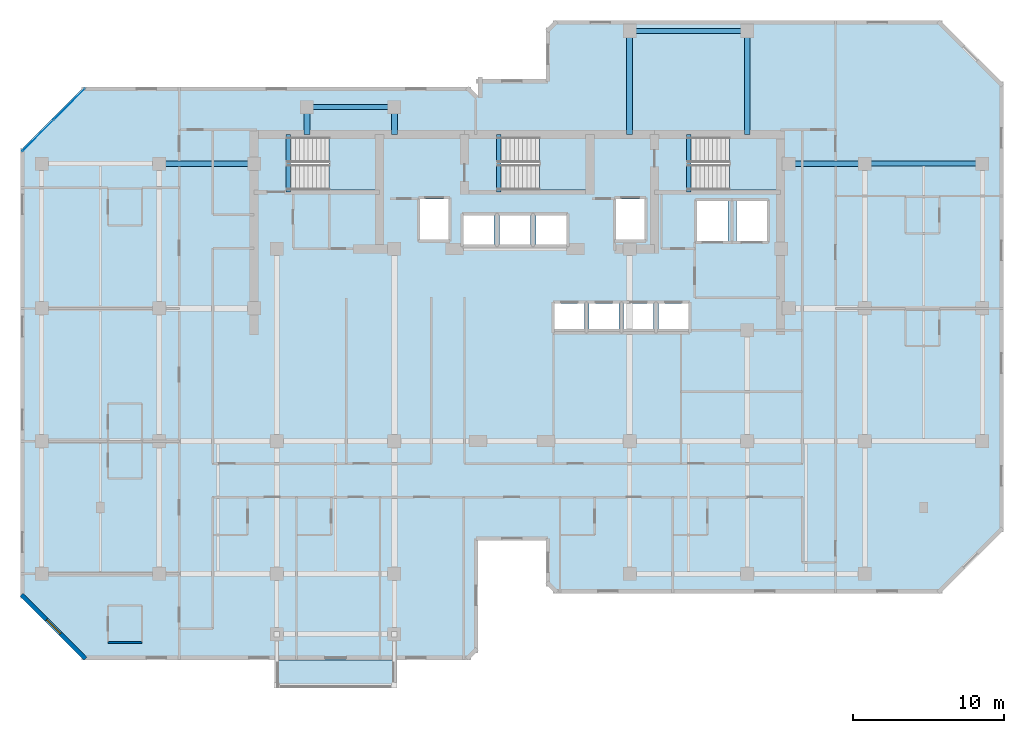
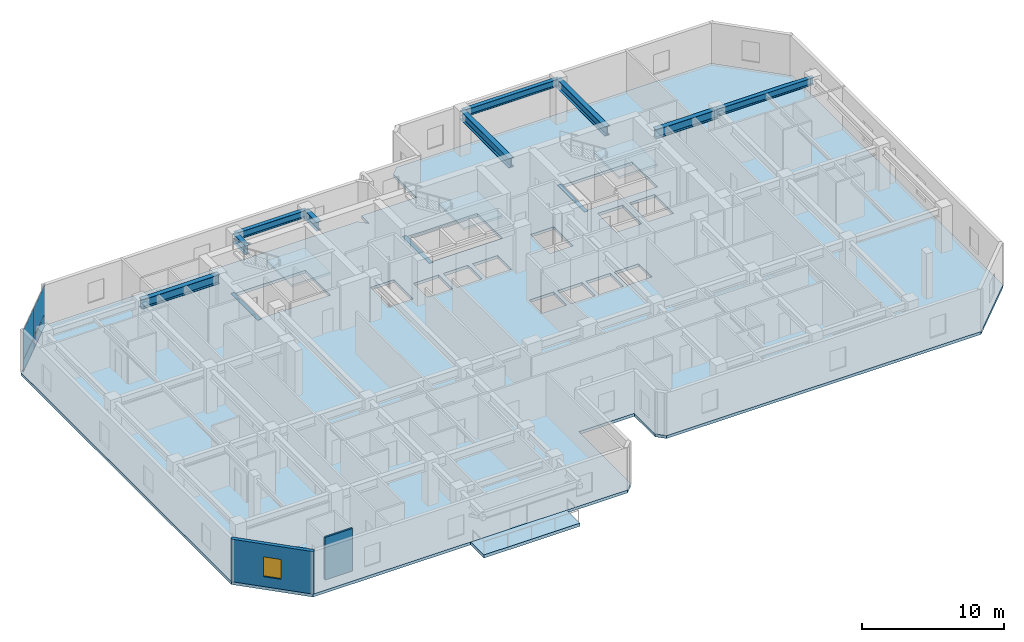
# One storey, part 3 of 11: 12 beams, 5 slabs, 4 plates, 2 walls, 1 window, 1 opening, 4 elements without a shape of their own.
"""IFC4 building model written with IfcOpenShell, lengths in metres."""

from ifc_helpers import new_model, si_unit, direction, frame, frame_2d, origin, origin_2d, place, context, subcontext, project, spatial, polyline, rectangle, i_section, outline, extrude, material, layer, layer_set, material_profile, profile_set, type_object, element, fill, aggregate, save


model = new_model("IFC4")

# Units and contexts
model_context = context("Model", 3, precision=1e-05, world=origin(), true_north=direction((0.0, 1.0)))
body_context = subcontext(model_context, "Body", "Model", "MODEL_VIEW")
ifc_project = project(units=[si_unit("LENGTHUNIT", "METRE"), si_unit("AREAUNIT", "SQUARE_METRE"), si_unit("VOLUMEUNIT", "CUBIC_METRE"), si_unit("PLANEANGLEUNIT", "RADIAN"), si_unit("MASSUNIT", "GRAM", prefix="KILO")], contexts=[model_context])

# Site, building, storey
site_placement = place(None, origin())
site = spatial("IfcSite", under=ifc_project, at=site_placement, CompositionType="ELEMENT")
building_placement = place(site_placement, origin())
building = spatial("IfcBuilding", under=site, at=building_placement, Name="Kestravale Grand Hotel", CompositionType="ELEMENT")
storey_placement = place(building_placement, frame((0.0, 0.0, 200.699951171875)))
storey = spatial("IfcBuildingStorey", under=building, at=storey_placement, Name="L50", CompositionType="ELEMENT", Elevation=200.699951171875)

# Beams
ifc_material_1 = material(Name="Concrete f'c 45 MPa", Category="concrete")
ifc_material_profile_1 = material_profile(ifc_material_1, rectangle(XDim=0.300048828125, YDim=0.39990234375, at=origin_2d()))
ifc_profile_set_1 = profile_set([ifc_material_profile_1], Name="Concrete f'c 45 MPa")
beam_type_1 = type_object("IfcBeamType", Name="B-FLR-LNT400", PredefinedType="LINTEL", material=ifc_profile_set_1)
for number, where, z_axis, x_axis, name in (
    (1, (24.159912109375, 36.52001953125, -0.199951171875), (0.0, 1.0, 0.0), (-1.0, 0.0, 0.0), "L50 ST1 flight bottom header beam"),
    (2, (38.110107421875, 36.52001953125, -0.199951171875), (0.0, 1.0, 0.0), (-1.0, 0.0, 0.0), "L50 ST2 flight bottom header beam"),
    (3, (50.7099609375, 36.52001953125, -0.199951171875), (0.0, 1.0, 0.0), (-1.0, 0.0, 0.0), "L50 ST3 flight bottom header beam"),
):
    element("IfcBeam", number, at=place(storey_placement, frame(where, z_axis=z_axis, x_axis=x_axis)), inside=storey, type_object=beam_type_1, Name=name, PredefinedType="LINTEL", context=body_context, shape_type="SweptSolid", body=[
        extrude(rectangle(XDim=0.300048828125, YDim=0.39990234375, at=origin_2d()), origin(), (0.0, 0.0, 1.0), 3.800048828125),
    ])
ifc_material_2 = material(Name="Steel ASTM A992 Grade 50", Category="steel")
ifc_material_profile_2 = material_profile(ifc_material_2, i_section(OverallWidth=0.324951171875, OverallDepth=0.612060546875, WebThickness=0.0126953125, FlangeThickness=0.01904296875, FilletRadius=0.018798828125, at=origin_2d()))
ifc_profile_set_2 = profile_set([ifc_material_profile_2], Name="Steel ASTM A992 Grade 50")
beam_type_2 = type_object("IfcBeamType", Name="B-FLR-W24A", PredefinedType="SPANDREL", material=ifc_profile_set_2)
for number, where, z_axis, x_axis, name in (
    (4, (62.39990234375, 38.39990234375, 3.343994140625), (1.0, 0.0, 0.0), (0.0, 1.0, 0.0), "L50 spandrel F:10-11"),
    (5, (46.800048828125, 47.199951171875, 3.343994140625), (1.0, 0.0, 0.0), (0.0, 1.0, 0.0), "L50 spandrel G:8-9"),
):
    element("IfcBeam", number, at=place(storey_placement, frame(where, z_axis=z_axis, x_axis=x_axis)), inside=storey, type_object=beam_type_2, Name=name, PredefinedType="SPANDREL", context=body_context, shape_type="SweptSolid", body=[
        extrude(i_section(OverallWidth=0.324951171875, OverallDepth=0.612060546875, WebThickness=0.0126953125, FlangeThickness=0.01904296875, FilletRadius=0.018798828125, at=origin_2d()), origin(), (0.0, 0.0, 1.0), 7.800048828125),
    ])
beam_1_placement = place(storey_placement, frame((25.39990234375, 42.14990234375, 3.343994140625), z_axis=(1.0, 0.0, 0.0), x_axis=(0.0, 1.0, 0.0)))
element("IfcBeam", 6, at=beam_1_placement, inside=storey, type_object=beam_type_2, Name="L50 perimeter tie spandrel FN:4-5", PredefinedType="SPANDREL", context=body_context, shape_type="SweptSolid", body=[
    extrude(i_section(OverallWidth=0.324951171875, OverallDepth=0.612060546875, WebThickness=0.0126953125, FlangeThickness=0.01904296875, FilletRadius=0.018798828125, at=origin_2d()), origin(), (0.0, 0.0, 1.0), 5.800048828125),
])
ifc_material_3 = material(Name="Steel ASTM A992 Grade 50", Category="steel")
ifc_material_profile_3 = material_profile(ifc_material_3, i_section(OverallWidth=0.381103515625, OverallDepth=0.77197265625, WebThickness=0.0166015625, FlangeThickness=0.027099609375, FilletRadius=0.023681640625, at=origin_2d()))
ifc_profile_set_3 = profile_set([ifc_material_profile_3], Name="Steel ASTM A992 Grade 50")
beam_type_3 = type_object("IfcBeamType", Name="B-GRD-W30", PredefinedType="BEAM", material=ifc_profile_set_3)
beam_2_placement = place(storey_placement, frame((15.60009765625, 38.39990234375, 3.26416015625), z_axis=(1.0, 0.0, 0.0), x_axis=(0.0, 1.0, 0.0)))
element("IfcBeam", 7, at=beam_2_placement, inside=storey, type_object=beam_type_3, Name="L50 girder F:3-CW", PredefinedType="BEAM", context=body_context, shape_type="SweptSolid", body=[
    extrude(i_section(OverallWidth=0.381103515625, OverallDepth=0.77197265625, WebThickness=0.0166015625, FlangeThickness=0.027099609375, FilletRadius=0.023681640625, at=origin_2d()), origin(), (0.0, 0.0, 1.0), 6.2998046875),
])
beam_3_placement = place(storey_placement, frame((57.35009765625, 38.39990234375, 3.26416015625), z_axis=(1.0, 0.0, 0.0), x_axis=(0.0, 1.0, 0.0)))
element("IfcBeam", 8, at=beam_3_placement, inside=storey, type_object=beam_type_3, Name="L50 girder F:CE-10", PredefinedType="BEAM", context=body_context, shape_type="SweptSolid", body=[
    extrude(i_section(OverallWidth=0.381103515625, OverallDepth=0.77197265625, WebThickness=0.0166015625, FlangeThickness=0.027099609375, FilletRadius=0.023681640625, at=origin_2d()), origin(), (0.0, 0.0, 1.0), 5.0498046875),
])
for number, where, z_axis, x_axis, name in (
    (9, (25.39990234375, 40.320068359375, 3.26416015625), (0.0, 1.0, 0.0), (-1.0, 0.0, 0.0), "L50 north wing tie girder 4:CN-FN"),
    (10, (31.199951171875, 40.320068359375, 3.26416015625), (0.0, 1.0, 0.0), (-1.0, 0.0, 0.0), "L50 north wing tie girder 5:CN-FN"),
):
    element("IfcBeam", number, at=place(storey_placement, frame(where, z_axis=z_axis, x_axis=x_axis)), inside=storey, type_object=beam_type_3, Name=name, PredefinedType="BEAM", context=body_context, shape_type="SweptSolid", body=[
        extrude(i_section(OverallWidth=0.381103515625, OverallDepth=0.77197265625, WebThickness=0.0166015625, FlangeThickness=0.027099609375, FilletRadius=0.023681640625, at=origin_2d()), origin(), (0.0, 0.0, 1.0), 1.829833984375),
    ])
for number, where, z_axis, x_axis, name in (
    (11, (46.800048828125, 40.320068359375, 3.26416015625), (0.0, 1.0, 0.0), (-1.0, 0.0, 0.0), "L50 north wing tie girder 8:CN-G"),
    (12, (54.60009765625, 40.320068359375, 3.26416015625), (0.0, 1.0, 0.0), (-1.0, 0.0, 0.0), "L50 north wing tie girder 9:CN-G"),
):
    element("IfcBeam", number, at=place(storey_placement, frame(where, z_axis=z_axis, x_axis=x_axis)), inside=storey, type_object=beam_type_3, Name=name, PredefinedType="BEAM", context=body_context, shape_type="SweptSolid", body=[
        extrude(i_section(OverallWidth=0.381103515625, OverallDepth=0.77197265625, WebThickness=0.0166015625, FlangeThickness=0.027099609375, FilletRadius=0.023681640625, at=origin_2d()), origin(), (0.0, 0.0, 1.0), 6.8798828125),
    ])

# Curtain wall, plates
ifc_material_4 = material(Name="Thermally broken champagne-bronze aluminium and low-E glazing", Category="aluminium")
ifc_layer_1 = layer(ifc_material_4, 0.179931640625)
ifc_layer_set_1 = layer_set([ifc_layer_1], Name="CW-Z3")
curtain_wall_type = type_object("IfcCurtainWallType", Name="CW-Z3", PredefinedType="NOTDEFINED", material=ifc_layer_set_1)
curtain_wall_placement = place(storey_placement, origin())
curtain_wall = element("IfcCurtainWall", 13, at=curtain_wall_placement, inside=storey, type_object=curtain_wall_type, Name="L50 unitised curtain wall 18", PredefinedType="NOTDEFINED")
ifc_material_5 = material(Name="Insulated clear low-E double glazing IGU", Category="glass")
ifc_layer_2 = layer(ifc_material_5, 0.031982421875)
ifc_layer_set_2 = layer_set([ifc_layer_2], Name="CW-PNL-32")
plate_type = type_object("IfcPlateType", Name="CW-PNL-32", PredefinedType="CURTAIN_PANEL", material=ifc_layer_set_2)
plate_1_placement = place(storey_placement, frame((9.64453125, 42.3466796875, 0.06494140625), z_axis=(0.0, 0.0, 1.0), x_axis=(-0.707106781187, -0.707106781187, 0.0)))
plate_1 = element("IfcPlate", 14, at=plate_1_placement, type_object=plate_type, Name="CW-Z3 panel 1.1", PredefinedType="CURTAIN_PANEL", context=body_context, shape_type="SweptSolid", body=[
    extrude(rectangle(XDim=2.892333984375, YDim=0.031982421875, at=origin_2d()), origin(), (0.0, 0.0, 1.0), 0.952392578125),
])
plate_2_placement = place(storey_placement, frame((9.64453125, 42.3466796875, 1.08251953125), z_axis=(0.0, 0.0, 1.0), x_axis=(-0.707106781187, -0.707106781187, 0.0)))
plate_2 = element("IfcPlate", 15, at=plate_2_placement, type_object=plate_type, Name="CW-Z3 panel 1.2", PredefinedType="CURTAIN_PANEL", context=body_context, shape_type="SweptSolid", body=[
    extrude(rectangle(XDim=2.892333984375, YDim=0.031982421875, at=origin_2d()), origin(), (0.0, 0.0, 1.0), 2.50244140625),
])
plate_3_placement = place(storey_placement, frame((7.553466796875, 40.25537109375, 0.06494140625), z_axis=(0.0, 0.0, 1.0), x_axis=(-0.707106781187, -0.707106781187, 0.0)))
plate_3 = element("IfcPlate", 16, at=plate_3_placement, type_object=plate_type, Name="CW-Z3 panel 2.1", PredefinedType="CURTAIN_PANEL", context=body_context, shape_type="SweptSolid", body=[
    extrude(rectangle(XDim=2.892333984375, YDim=0.031982421875, at=origin_2d()), origin(), (0.0, 0.0, 1.0), 0.952392578125),
])
plate_4_placement = place(storey_placement, frame((7.553466796875, 40.25537109375, 1.08251953125), z_axis=(0.0, 0.0, 1.0), x_axis=(-0.707106781187, -0.707106781187, 0.0)))
plate_4 = element("IfcPlate", 17, at=plate_4_placement, type_object=plate_type, Name="CW-Z3 panel 2.2", PredefinedType="CURTAIN_PANEL", context=body_context, shape_type="SweptSolid", body=[
    extrude(rectangle(XDim=2.892333984375, YDim=0.031982421875, at=origin_2d()), origin(), (0.0, 0.0, 1.0), 2.50244140625),
])
aggregate(curtain_wall, [plate_1, plate_2, plate_3, plate_4])

# Slab
ifc_material_6 = material(Name="Concrete f'c 45 MPa", Category="concrete")
ifc_layer_3 = layer(ifc_material_6, 0.27001953125)
ifc_layer_set_3 = layer_set([ifc_layer_3], Name="ES-TERR-270")
slab_type_1 = type_object("IfcSlabType", Name="ES-TERR-270", PredefinedType="FLOOR", material=ifc_layer_set_3)
slab_1_placement = place(storey_placement, frame((0.0, 0.0, -0.27001953125)))
element("IfcSlab", 18, at=slab_1_placement, inside=storey, type_object=slab_type_1, Name="L50 spiralling planted garden terrace", PredefinedType="FLOOR", context=body_context, shape_type="SweptSolid", body=[
    extrude(outline(polyline([(23.39990234375, 3.64990234375), (31.199951171875, 3.64990234375), (31.199951171875, 5.5), (23.39990234375, 5.5), (23.39990234375, 3.64990234375)])), origin(), (0.0, 0.0, 1.0), 0.27001953125),
])

# Stair, slab
ifc_material_7 = material(Name="Concrete f'c 45 MPa", Category="concrete")
stair_type = type_object("IfcStairType", Name="ST-CORE-390", PredefinedType="HALF_TURN_STAIR", material=ifc_material_7)
stair_1_placement = place(storey_placement, origin())
stair_1 = element("IfcStair", 19, at=stair_1_placement, inside=storey, type_object=stair_type, Name="L50 ST-1", PredefinedType="HALF_TURN_STAIR")
ifc_material_8 = material(Name="Concrete f'c 45 MPa", Category="concrete")
ifc_layer_4 = layer(ifc_material_8, 0.199951171875)
ifc_layer_set_4 = layer_set([ifc_layer_4], Name="SLB-ST-LND200")
slab_type_2 = type_object("IfcSlabType", Name="SLB-ST-LND200", PredefinedType="LANDING", material=ifc_layer_set_4)
slab_2_placement = place(storey_placement, frame((0.0, 0.0, 1.75)))
slab_2 = element("IfcSlab", 20, at=slab_2_placement, type_object=slab_type_2, Name="ST-1 landing 1", PredefinedType="LANDING", context=body_context, shape_type="SweptSolid", body=[
    extrude(outline(polyline([(26.8798828125, 36.64990234375), (30.0, 36.64990234375), (30.0, 40.159912109375), (26.8798828125, 40.159912109375), (26.8798828125, 36.64990234375)])), origin(), (0.0, 0.0, 1.0), 0.199951171875),
])
aggregate(stair_1, [slab_2])

stair_2_placement = place(storey_placement, origin())
stair_2 = element("IfcStair", 21, at=stair_2_placement, inside=storey, type_object=stair_type, Name="L50 ST-2", PredefinedType="HALF_TURN_STAIR")
slab_3_placement = place(storey_placement, frame((0.0, 0.0, 1.75)))
slab_3 = element("IfcSlab", 22, at=slab_3_placement, type_object=slab_type_2, Name="ST-2 landing 1", PredefinedType="LANDING", context=body_context, shape_type="SweptSolid", body=[
    extrude(outline(polyline([(40.830078125, 36.64990234375), (43.949951171875, 36.64990234375), (43.949951171875, 40.159912109375), (40.830078125, 40.159912109375), (40.830078125, 36.64990234375)])), origin(), (0.0, 0.0, 1.0), 0.199951171875),
])
aggregate(stair_2, [slab_3])

stair_3_placement = place(storey_placement, origin())
stair_3 = element("IfcStair", 23, at=stair_3_placement, inside=storey, type_object=stair_type, Name="L50 ST-3", PredefinedType="HALF_TURN_STAIR")
slab_4_placement = place(storey_placement, frame((0.0, 0.0, 1.75)))
slab_4 = element("IfcSlab", 24, at=slab_4_placement, type_object=slab_type_2, Name="ST-3 landing 1", PredefinedType="LANDING", context=body_context, shape_type="SweptSolid", body=[
    extrude(outline(polyline([(53.429931640625, 36.64990234375), (56.550048828125, 36.64990234375), (56.550048828125, 40.159912109375), (53.429931640625, 40.159912109375), (53.429931640625, 36.64990234375)])), origin(), (0.0, 0.0, 1.0), 0.199951171875),
])
aggregate(stair_3, [slab_4])

# Slab
ifc_material_9 = material(Name="Concrete f'c 45 MPa", Category="concrete")
ifc_layer_5 = layer(ifc_material_9, 0.25)
ifc_layer_set_5 = layer_set([ifc_layer_5], Name="SS-FLR-250")
slab_type_3 = type_object("IfcSlabType", Name="SS-FLR-250", PredefinedType="FLOOR", material=ifc_layer_set_5)
slab_5_placement = place(storey_placement, frame((0.0, 0.0, -0.25)))
element("IfcSlab", 25, at=slab_5_placement, inside=storey, type_object=slab_type_3, Name="L50 structural floor slab", PredefinedType="FLOOR", context=body_context, shape_type="SweptSolid", body=[
    extrude(outline(polyline([(10.60009765625, 5.5), (36.14990234375, 5.5), (36.75, 6.10009765625), (36.75, 13.39990234375), (41.25, 13.39990234375), (41.25, 10.5), (41.85009765625, 9.89990234375), (67.39990234375, 9.89990234375), (71.60009765625, 14.10009765625), (71.60009765625, 43.699951171875), (67.39990234375, 47.89990234375), (41.85009765625, 47.89990234375), (41.25, 47.300048828125), (41.25, 44.0), (36.75, 44.0), (36.75, 42.89990234375), (36.14990234375, 43.5), (10.60009765625, 43.5), (6.39990234375, 39.300048828125), (6.39990234375, 9.699951171875), (10.60009765625, 5.5)]), holes=[polyline([(24.080078125, 36.64990234375), (30.0, 36.64990234375), (30.0, 40.159912109375), (24.080078125, 40.159912109375), (24.080078125, 36.64990234375)]), polyline([(38.030029296875, 36.64990234375), (43.949951171875, 36.64990234375), (43.949951171875, 40.159912109375), (38.030029296875, 40.159912109375), (38.030029296875, 36.64990234375)]), polyline([(50.6298828125, 36.64990234375), (56.550048828125, 36.64990234375), (56.550048828125, 40.159912109375), (50.6298828125, 40.159912109375), (50.6298828125, 36.64990234375)]), polyline([(41.804931640625, 27.280029296875), (43.794921875, 27.280029296875), (43.794921875, 29.1201171875), (41.804931640625, 29.1201171875), (41.804931640625, 27.280029296875)]), polyline([(44.10498046875, 27.280029296875), (46.094970703125, 27.280029296875), (46.094970703125, 29.1201171875), (44.10498046875, 29.1201171875), (44.10498046875, 27.280029296875)]), polyline([(46.405029296875, 27.280029296875), (48.39501953125, 27.280029296875), (48.39501953125, 29.1201171875), (46.405029296875, 29.1201171875), (46.405029296875, 27.280029296875)]), polyline([(48.705078125, 27.280029296875), (50.695068359375, 27.280029296875), (50.695068359375, 29.1201171875), (48.705078125, 29.1201171875), (48.705078125, 27.280029296875)]), polyline([(35.780029296875, 33.030029296875), (37.820068359375, 33.030029296875), (37.820068359375, 34.969970703125), (35.780029296875, 34.969970703125), (35.780029296875, 33.030029296875)]), polyline([(38.179931640625, 33.030029296875), (40.219970703125, 33.030029296875), (40.219970703125, 34.969970703125), (38.179931640625, 34.969970703125), (38.179931640625, 33.030029296875)]), polyline([(40.580078125, 33.030029296875), (42.6201171875, 33.030029296875), (42.6201171875, 34.969970703125), (40.580078125, 34.969970703125), (40.580078125, 33.030029296875)]), polyline([(32.905029296875, 33.35498046875), (34.794921875, 33.35498046875), (34.794921875, 36.044921875), (32.905029296875, 36.044921875), (32.905029296875, 33.35498046875)]), polyline([(45.905029296875, 33.35498046875), (47.794921875, 33.35498046875), (47.794921875, 36.044921875), (45.905029296875, 36.044921875), (45.905029296875, 33.35498046875)]), polyline([(51.280029296875, 33.280029296875), (53.320068359375, 33.280029296875), (53.320068359375, 35.919921875), (51.280029296875, 35.919921875), (51.280029296875, 33.280029296875)]), polyline([(53.8798828125, 33.280029296875), (55.919921875, 33.280029296875), (55.919921875, 35.919921875), (53.8798828125, 35.919921875), (53.8798828125, 33.280029296875)])]), origin(), (0.0, 0.0, 1.0), 0.25),
])

# Wall, opening, window
ifc_material_10 = material(Name="Precast concrete f'c 45 MPa", Category="concrete")
ifc_layer_6 = layer(ifc_material_10, 0.280029296875)
ifc_layer_set_6 = layer_set([ifc_layer_6], Name="EW-PREC-280")
wall_type_1 = type_object("IfcWallType", Name="EW-PREC-280", PredefinedType="SOLIDWALL", material=ifc_layer_set_6)
wall_1_placement = place(storey_placement, frame((6.470703125, 9.827392578125, 0.0), z_axis=(0.0, 0.0, 1.0), x_axis=(0.707106781187, -0.707106781187, 0.0)))
wall_1 = element("IfcWall", 26, at=wall_1_placement, inside=storey, type_object=wall_type_1, Name="L50 fluted precast facade wall 20", PredefinedType="SOLIDWALL", context=body_context, shape_type="SweptSolid", body=[
    extrude(rectangle(XDim=6.019775390625, YDim=0.280029296875, at=frame_2d((3.009765625, 0.0))), origin(), (0.0, 0.0, 1.0), 3.650146484375),
])
opening_placement = place(wall_1_placement, frame((2.35986328125, 0.0, 0.85009765625)))
opening = element("IfcOpeningElement", 27, at=opening_placement, cuts=wall_1, Name="Opening W-GUEST-1300", PredefinedType="OPENING", context=body_context, shape_type="SweptSolid", body=[
    extrude(rectangle(XDim=1.300048828125, YDim=1.699951171875, at=frame_2d((0.64990234375, 0.85009765625))), frame((0.0, 0.14990234375, 0.0), z_axis=(0.0, -1.0, 0.0), x_axis=(1.0, 0.0, 0.0)), (0.0, 0.0, 1.0), 0.300048828125),
])
ifc_material_11 = material(Name="Insulated low-E double glazing in aluminium frame", Category="aluminium")
window_type = type_object("IfcWindowType", Name="W-GUEST-1300", PartitioningType="SINGLE_PANEL", PredefinedType="WINDOW", material=ifc_material_11)
window_placement = place(opening_placement, origin())
window = element("IfcWindow", 28, at=window_placement, inside=storey, type_object=window_type, Name="L50 exterior window 20.1", OverallHeight=1.699951171875, OverallWidth=1.300048828125, PartitioningType="SINGLE_PANEL", PredefinedType="WINDOW", context=body_context, shape_type="SweptSolid", body=[
    extrude(rectangle(XDim=1.300048828125, YDim=1.699951171875, at=frame_2d((0.64990234375, 0.85009765625))), frame((0.0, 0.030029296875, 0.0), z_axis=(0.0, -1.0, 0.0), x_axis=(1.0, 0.0, 0.0)), (0.0, 0.0, 1.0), 0.06005859375),
])
fill(opening, window)

# Wall
ifc_material_12 = material(Name="Moisture-resistant tile-backer plumbing chase wall", Category="other")
ifc_layer_7 = layer(ifc_material_12, 0.139892578125)
ifc_layer_set_7 = layer_set([ifc_layer_7], Name="IW-PLB-140")
wall_type_2 = type_object("IfcWallType", Name="IW-PLB-140", PredefinedType="PLUMBINGWALL", material=ifc_layer_set_7)
wall_2_placement = place(storey_placement, frame((12.199951171875, 6.64990234375, 0.0), z_axis=(0.0, 0.0, 1.0), x_axis=(1.0, 0.0, 0.0)))
element("IfcWall", 29, at=wall_2_placement, inside=storey, type_object=wall_type_2, Name="W-L50-U05-BS", PredefinedType="PLUMBINGWALL", context=body_context, shape_type="SweptSolid", body=[
    extrude(rectangle(XDim=2.25, YDim=0.139892578125, at=frame_2d((1.125, 0.0))), origin(), (0.0, 0.0, 1.0), 3.650146484375),
])

save(model, "model.ifc")
